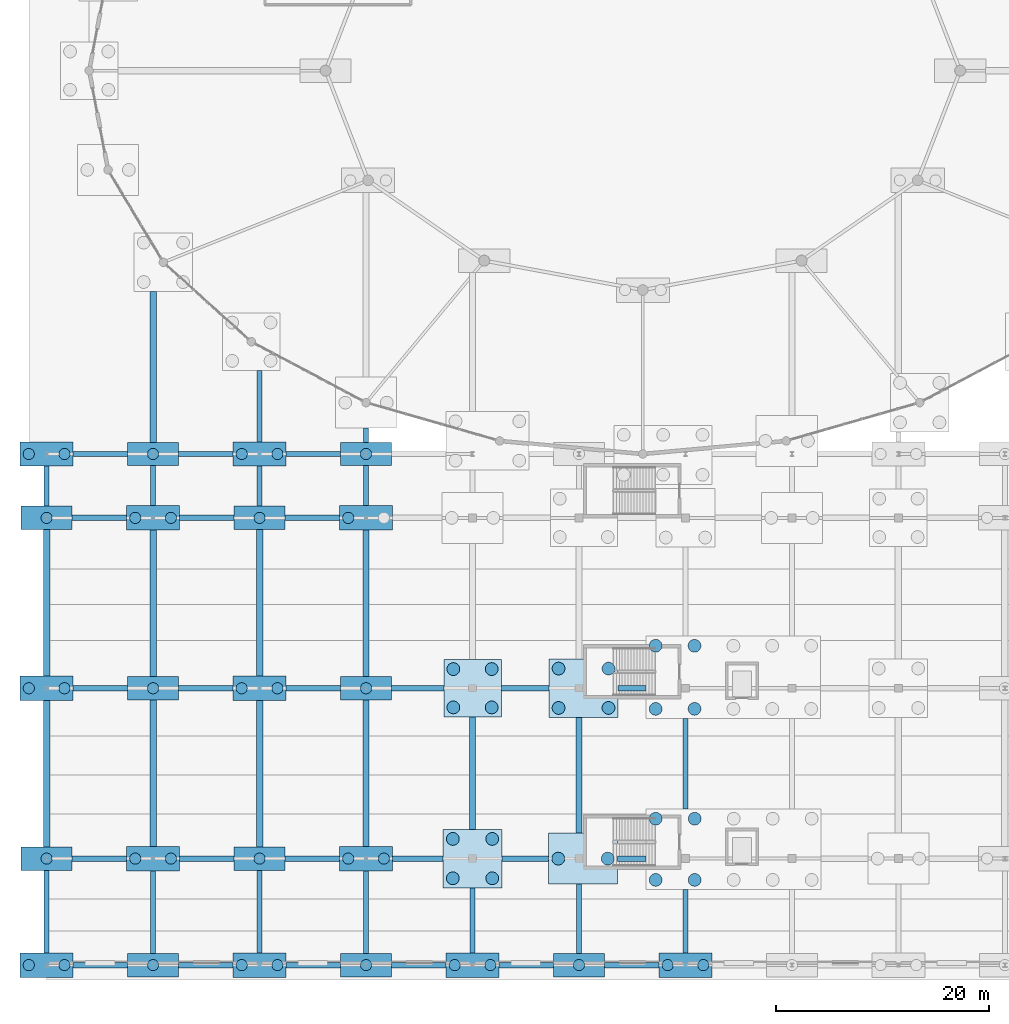
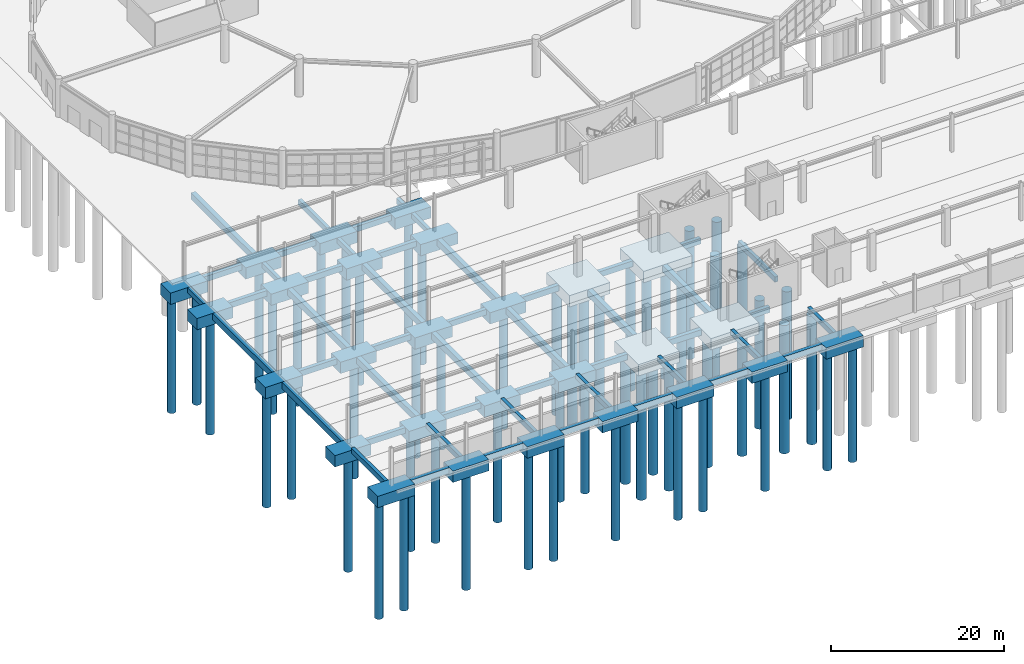
# One storey, part 1 of 99: 76 footings, 56 piles.
"""IFC4 building model written with IfcOpenShell, lengths in metres."""

from ifc_helpers import new_model, si_unit, direction, frame, origin, origin_2d, place, context, subcontext, project, spatial, rectangle, circle, extrude, material, material_profile, profile_set, type_object, element, save


model = new_model("IFC4")

# Units and contexts
model_context = context("Model", 3, precision=1e-05, world=origin(), true_north=direction((0.0, 1.0)))
body_context = subcontext(model_context, "Body", "Model", "MODEL_VIEW")
ifc_project = project(units=[si_unit("LENGTHUNIT", "METRE"), si_unit("AREAUNIT", "SQUARE_METRE"), si_unit("VOLUMEUNIT", "CUBIC_METRE"), si_unit("PLANEANGLEUNIT", "RADIAN"), si_unit("MASSUNIT", "GRAM", prefix="KILO")], contexts=[model_context])

# Site, building, storey
site_placement = place(None, origin())
site = spatial("IfcSite", under=ifc_project, at=site_placement, CompositionType="ELEMENT")
building_placement = place(site_placement, origin())
building = spatial("IfcBuilding", under=site, at=building_placement, Name="Kivolera Central Railway Station", CompositionType="ELEMENT")
storey_placement = place(building_placement, origin())
storey = spatial("IfcBuildingStorey", under=building, at=storey_placement, Name="L00", CompositionType="ELEMENT", Elevation=0.0)

# Footings
ifc_material = material(Name="Concrete C35/45", Category="concrete")
footing_type_1 = type_object("IfcFootingType", Name="FB-450x750", PredefinedType="FOOTING_BEAM", material=ifc_material)
footing_1_placement = place(storey_placement, frame((8.0, 11.02490234375, -0.75), z_axis=(0.0, 0.0, 1.0), x_axis=(1.0, 0.0, 0.0)))
element("IfcFooting", 1, at=footing_1_placement, inside=storey, type_object=footing_type_1, Name="Foundation Tie Beam FDN-FBY-145", PredefinedType="FOOTING_BEAM", context=body_context, shape_type="SweptSolid", body=[
    extrude(rectangle(XDim=0.449951171875, YDim=7.75, at=origin_2d()), origin(), (0.0, 0.0, 1.0), 0.75),
])
footing_2_placement = place(storey_placement, frame((8.0, 50.97509765625, -1.10009765625), z_axis=(0.0, 0.0, 1.0), x_axis=(1.0, 0.0, 0.0)))
element("IfcFooting", 2, at=footing_2_placement, inside=storey, type_object=footing_type_1, Name="Foundation Tie Beam FDN-FBY-148", PredefinedType="FOOTING_BEAM", context=body_context, shape_type="SweptSolid", body=[
    extrude(rectangle(XDim=0.449951171875, YDim=3.75, at=origin_2d()), origin(), (0.0, 0.0, 1.0), 0.75),
])
footing_3_placement = place(storey_placement, frame((18.0, 10.97509765625, -0.75), z_axis=(0.0, 0.0, 1.0), x_axis=(1.0, 0.0, 0.0)))
element("IfcFooting", 3, at=footing_3_placement, inside=storey, type_object=footing_type_1, Name="Foundation Tie Beam FDN-FBY-149", PredefinedType="FOOTING_BEAM", context=body_context, shape_type="SweptSolid", body=[
    extrude(rectangle(XDim=0.449951171875, YDim=7.75, at=origin_2d()), origin(), (0.0, 0.0, 1.0), 0.75),
])
footing_4_placement = place(storey_placement, frame((18.0, 51.02490234375, -1.10009765625), z_axis=(0.0, 0.0, 1.0), x_axis=(1.0, 0.0, 0.0)))
element("IfcFooting", 4, at=footing_4_placement, inside=storey, type_object=footing_type_1, Name="Foundation Tie Beam FDN-FBY-152", PredefinedType="FOOTING_BEAM", context=body_context, shape_type="SweptSolid", body=[
    extrude(rectangle(XDim=0.449951171875, YDim=3.75, at=origin_2d()), origin(), (0.0, 0.0, 1.0), 0.75),
])
footing_5_placement = place(storey_placement, frame((28.0, 11.02490234375, -0.75), z_axis=(0.0, 0.0, 1.0), x_axis=(1.0, 0.0, 0.0)))
element("IfcFooting", 5, at=footing_5_placement, inside=storey, type_object=footing_type_1, Name="Foundation Tie Beam FDN-FBY-154", PredefinedType="FOOTING_BEAM", context=body_context, shape_type="SweptSolid", body=[
    extrude(rectangle(XDim=0.449951171875, YDim=7.75, at=origin_2d()), origin(), (0.0, 0.0, 1.0), 0.75),
])
footing_6_placement = place(storey_placement, frame((28.0, 50.97509765625, -1.10009765625), z_axis=(0.0, 0.0, 1.0), x_axis=(1.0, 0.0, 0.0)))
element("IfcFooting", 6, at=footing_6_placement, inside=storey, type_object=footing_type_1, Name="Foundation Tie Beam FDN-FBY-157", PredefinedType="FOOTING_BEAM", context=body_context, shape_type="SweptSolid", body=[
    extrude(rectangle(XDim=0.449951171875, YDim=3.75, at=origin_2d()), origin(), (0.0, 0.0, 1.0), 0.75),
])
footing_7_placement = place(storey_placement, frame((28.0, 58.4970703125, -1.10009765625), z_axis=(0.0, 0.0, 1.0), x_axis=(1.0, 0.0, 0.0)))
element("IfcFooting", 7, at=footing_7_placement, inside=storey, type_object=footing_type_1, Name="Foundation Tie Beam FDN-FBY-158", PredefinedType="FOOTING_BEAM", context=body_context, shape_type="SweptSolid", body=[
    extrude(rectangle(XDim=0.449951171875, YDim=6.694091796875, at=origin_2d()), origin(), (0.0, 0.0, 1.0), 0.75),
])
footing_8_placement = place(storey_placement, frame((38.0, 10.97509765625, -0.75), z_axis=(0.0, 0.0, 1.0), x_axis=(1.0, 0.0, 0.0)))
element("IfcFooting", 8, at=footing_8_placement, inside=storey, type_object=footing_type_1, Name="Foundation Tie Beam FDN-FBY-161", PredefinedType="FOOTING_BEAM", context=body_context, shape_type="SweptSolid", body=[
    extrude(rectangle(XDim=0.449951171875, YDim=7.75, at=origin_2d()), origin(), (0.0, 0.0, 1.0), 0.75),
])
footing_9_placement = place(storey_placement, frame((38.0, 51.02490234375, -1.10009765625), z_axis=(0.0, 0.0, 1.0), x_axis=(1.0, 0.0, 0.0)))
element("IfcFooting", 9, at=footing_9_placement, inside=storey, type_object=footing_type_1, Name="Foundation Tie Beam FDN-FBY-164", PredefinedType="FOOTING_BEAM", context=body_context, shape_type="SweptSolid", body=[
    extrude(rectangle(XDim=0.449951171875, YDim=3.75, at=origin_2d()), origin(), (0.0, 0.0, 1.0), 0.75),
])
footing_10_placement = place(storey_placement, frame((38.0, 55.760986328125, -1.10009765625), z_axis=(0.0, 0.0, 1.0), x_axis=(1.0, 0.0, 0.0)))
element("IfcFooting", 10, at=footing_10_placement, inside=storey, type_object=footing_type_1, Name="Foundation Tie Beam FDN-FBY-165", PredefinedType="FOOTING_BEAM", context=body_context, shape_type="SweptSolid", body=[
    extrude(rectangle(XDim=0.449951171875, YDim=1.322998046875, at=origin_2d()), origin(), (0.0, 0.0, 1.0), 0.75),
])
footing_11_placement = place(storey_placement, frame((48.0, 10.199951171875, -0.75), z_axis=(0.0, 0.0, 1.0), x_axis=(1.0, 0.0, 0.0)))
element("IfcFooting", 11, at=footing_11_placement, inside=storey, type_object=footing_type_1, Name="Foundation Tie Beam FDN-FBY-171", PredefinedType="FOOTING_BEAM", context=body_context, shape_type="SweptSolid", body=[
    extrude(rectangle(XDim=0.449951171875, YDim=6.10009765625, at=origin_2d()), origin(), (0.0, 0.0, 1.0), 0.75),
])
footing_12_placement = place(storey_placement, frame((58.0, 10.35009765625, -0.75), z_axis=(0.0, 0.0, 1.0), x_axis=(1.0, 0.0, 0.0)))
element("IfcFooting", 12, at=footing_12_placement, inside=storey, type_object=footing_type_1, Name="Foundation Tie Beam FDN-FBY-178", PredefinedType="FOOTING_BEAM", context=body_context, shape_type="SweptSolid", body=[
    extrude(rectangle(XDim=0.449951171875, YDim=6.5, at=origin_2d()), origin(), (0.0, 0.0, 1.0), 0.75),
])
footing_13_placement = place(storey_placement, frame((68.0, 10.125, -0.75), z_axis=(0.0, 0.0, 1.0), x_axis=(1.0, 0.0, 0.0)))
element("IfcFooting", 13, at=footing_13_placement, inside=storey, type_object=footing_type_1, Name="Foundation Tie Beam FDN-FBY-183", PredefinedType="FOOTING_BEAM", context=body_context, shape_type="SweptSolid", body=[
    extrude(rectangle(XDim=0.449951171875, YDim=5.948974609375, at=origin_2d()), origin(), (0.0, 0.0, 1.0), 0.75),
])
footing_14_placement = place(storey_placement, frame((68.0, 24.906005859375, -1.110107421875), z_axis=(0.0, 0.0, 1.0), x_axis=(1.0, 0.0, 0.0)))
element("IfcFooting", 14, at=footing_14_placement, inside=storey, type_object=footing_type_1, Name="Foundation Tie Beam FDN-FBY-184", PredefinedType="FOOTING_BEAM", context=body_context, shape_type="SweptSolid", body=[
    extrude(rectangle(XDim=0.449951171875, YDim=8.510009765625, at=origin_2d()), origin(), (0.0, 0.0, 1.0), 0.75),
])
footing_type_2 = type_object("IfcFootingType", Name="FB-500x800", PredefinedType="FOOTING_BEAM", material=ifc_material)
for number, where, z_axis, x_axis, name in (
    (15, (13.050048828125, 6.0, -0.7998046875), (0.0, 0.0, 1.0), (1.0, 0.0, 0.0), "Foundation Tie Beam FDN-FBX-001"),
    (16, (22.949951171875, 6.0, -0.7998046875), (0.0, 0.0, 1.0), (1.0, 0.0, 0.0), "Foundation Tie Beam FDN-FBX-002"),
    (17, (33.050048828125, 6.0, -0.7998046875), (0.0, 0.0, 1.0), (1.0, 0.0, 0.0), "Foundation Tie Beam FDN-FBX-003"),
    (18, (42.949951171875, 6.0, -0.7998046875), (0.0, 0.0, 1.0), (1.0, 0.0, 0.0), "Foundation Tie Beam FDN-FBX-004"),
    (19, (53.050048828125, 6.0, -0.7998046875), (0.0, 0.0, 1.0), (1.0, 0.0, 0.0), "Foundation Tie Beam FDN-FBX-005"),
    (20, (62.949951171875, 6.0, -0.7998046875), (0.0, 0.0, 1.0), (1.0, 0.0, 0.0), "Foundation Tie Beam FDN-FBX-006"),
    (21, (12.949951171875, 16.0, -1.16015625), (0.0, 0.0, 1.0), (1.0, 0.0, 0.0), "Foundation Tie Beam FDN-FBX-020"),
    (22, (23.050048828125, 16.0, -1.16015625), (0.0, 0.0, 1.0), (1.0, 0.0, 0.0), "Foundation Tie Beam FDN-FBX-021"),
    (23, (32.949951171875, 16.0, -1.16015625), (0.0, 0.0, 1.0), (1.0, 0.0, 0.0), "Foundation Tie Beam FDN-FBX-022"),
):
    element("IfcFooting", number, at=place(storey_placement, frame(where, z_axis=z_axis, x_axis=x_axis)), inside=storey, type_object=footing_type_2, Name=name, PredefinedType="FOOTING_BEAM", context=body_context, shape_type="SweptSolid", body=[
        extrude(rectangle(XDim=5.10009765625, YDim=0.5, at=origin_2d()), origin(), (0.0, 0.0, 1.0), 0.800048828125),
    ])
footing_15_placement = place(storey_placement, frame((42.875, 16.0, -1.16015625), z_axis=(0.0, 0.0, 1.0), x_axis=(1.0, 0.0, 0.0)))
element("IfcFooting", 24, at=footing_15_placement, inside=storey, type_object=footing_type_2, Name="Foundation Tie Beam FDN-FBX-023", PredefinedType="FOOTING_BEAM", context=body_context, shape_type="SweptSolid", body=[
    extrude(rectangle(XDim=4.75, YDim=0.5, at=origin_2d()), origin(), (0.0, 0.0, 1.0), 0.800048828125),
])
footing_16_placement = place(storey_placement, frame((52.949951171875, 16.0, -1.16015625), z_axis=(0.0, 0.0, 1.0), x_axis=(1.0, 0.0, 0.0)))
element("IfcFooting", 25, at=footing_16_placement, inside=storey, type_object=footing_type_2, Name="Foundation Tie Beam FDN-FBX-024", PredefinedType="FOOTING_BEAM", context=body_context, shape_type="SweptSolid", body=[
    extrude(rectangle(XDim=4.39990234375, YDim=0.5, at=origin_2d()), origin(), (0.0, 0.0, 1.0), 0.800048828125),
])
footing_17_placement = place(storey_placement, frame((62.949951171875, 16.0, -1.16015625), z_axis=(0.0, 0.0, 1.0), x_axis=(1.0, 0.0, 0.0)))
element("IfcFooting", 26, at=footing_17_placement, inside=storey, type_object=footing_type_2, Name="Foundation Tie Beam FDN-FBX-025", PredefinedType="FOOTING_BEAM", context=body_context, shape_type="SweptSolid", body=[
    extrude(rectangle(XDim=2.699951171875, YDim=0.5, at=origin_2d()), origin(), (0.0, 0.0, 1.0), 0.800048828125),
])
for number, where, z_axis, x_axis, name in (
    (27, (13.050048828125, 32.0, -1.16015625), (0.0, 0.0, 1.0), (1.0, 0.0, 0.0), "Foundation Tie Beam FDN-FBX-038"),
    (28, (22.949951171875, 32.0, -1.16015625), (0.0, 0.0, 1.0), (1.0, 0.0, 0.0), "Foundation Tie Beam FDN-FBX-039"),
    (29, (33.050048828125, 32.0, -1.16015625), (0.0, 0.0, 1.0), (1.0, 0.0, 0.0), "Foundation Tie Beam FDN-FBX-040"),
):
    element("IfcFooting", number, at=place(storey_placement, frame(where, z_axis=z_axis, x_axis=x_axis)), inside=storey, type_object=footing_type_2, Name=name, PredefinedType="FOOTING_BEAM", context=body_context, shape_type="SweptSolid", body=[
        extrude(rectangle(XDim=5.10009765625, YDim=0.5, at=origin_2d()), origin(), (0.0, 0.0, 1.0), 0.800048828125),
    ])
footing_18_placement = place(storey_placement, frame((42.85009765625, 32.0, -1.16015625), z_axis=(0.0, 0.0, 1.0), x_axis=(1.0, 0.0, 0.0)))
element("IfcFooting", 30, at=footing_18_placement, inside=storey, type_object=footing_type_2, Name="Foundation Tie Beam FDN-FBX-041", PredefinedType="FOOTING_BEAM", context=body_context, shape_type="SweptSolid", body=[
    extrude(rectangle(XDim=4.89990234375, YDim=0.5, at=origin_2d()), origin(), (0.0, 0.0, 1.0), 0.800048828125),
])
footing_19_placement = place(storey_placement, frame((52.93994140625, 32.0, -1.16015625), z_axis=(0.0, 0.0, 1.0), x_axis=(1.0, 0.0, 0.0)))
element("IfcFooting", 31, at=footing_19_placement, inside=storey, type_object=footing_type_2, Name="Foundation Tie Beam FDN-FBX-042", PredefinedType="FOOTING_BEAM", context=body_context, shape_type="SweptSolid", body=[
    extrude(rectangle(XDim=4.47998046875, YDim=0.5, at=origin_2d()), origin(), (0.0, 0.0, 1.0), 0.800048828125),
])
footing_20_placement = place(storey_placement, frame((62.985107421875, 32.0, -1.16015625), z_axis=(0.0, 0.0, 1.0), x_axis=(1.0, 0.0, 0.0)))
element("IfcFooting", 32, at=footing_20_placement, inside=storey, type_object=footing_type_2, Name="Foundation Tie Beam FDN-FBX-043", PredefinedType="FOOTING_BEAM", context=body_context, shape_type="SweptSolid", body=[
    extrude(rectangle(XDim=2.6298828125, YDim=0.5, at=origin_2d()), origin(), (0.0, 0.0, 1.0), 0.800048828125),
])
for number, where, z_axis, x_axis, name in (
    (33, (12.949951171875, 48.0, -1.16015625), (0.0, 0.0, 1.0), (1.0, 0.0, 0.0), "Foundation Tie Beam FDN-FBX-056"),
    (34, (23.050048828125, 48.0, -1.16015625), (0.0, 0.0, 1.0), (1.0, 0.0, 0.0), "Foundation Tie Beam FDN-FBX-057"),
    (35, (32.949951171875, 48.0, -1.16015625), (0.0, 0.0, 1.0), (1.0, 0.0, 0.0), "Foundation Tie Beam FDN-FBX-058"),
    (36, (13.050048828125, 54.0, -1.14990234375), (0.0, 0.0, 1.0), (1.0, 0.0, 0.0), "Foundation Tie Beam FDN-FBX-075"),
    (37, (22.949951171875, 54.0, -1.14990234375), (0.0, 0.0, 1.0), (1.0, 0.0, 0.0), "Foundation Tie Beam FDN-FBX-076"),
    (38, (33.050048828125, 54.0, -1.14990234375), (0.0, 0.0, 1.0), (1.0, 0.0, 0.0), "Foundation Tie Beam FDN-FBX-077"),
):
    element("IfcFooting", number, at=place(storey_placement, frame(where, z_axis=z_axis, x_axis=x_axis)), inside=storey, type_object=footing_type_2, Name=name, PredefinedType="FOOTING_BEAM", context=body_context, shape_type="SweptSolid", body=[
        extrude(rectangle(XDim=5.10009765625, YDim=0.5, at=origin_2d()), origin(), (0.0, 0.0, 1.0), 0.800048828125),
    ])
footing_type_3 = type_object("IfcFootingType", Name="FB-600x900", PredefinedType="FOOTING_BEAM", material=ifc_material)
for number, where, z_axis, x_axis, name in (
    (39, (8.0, 23.97509765625, -1.260009765625), (0.0, 0.0, 1.0), (1.0, 0.0, 0.0), "Foundation Tie Beam FDN-FBY-146"),
    (40, (8.0, 40.02490234375, -1.260009765625), (0.0, 0.0, 1.0), (1.0, 0.0, 0.0), "Foundation Tie Beam FDN-FBY-147"),
    (41, (18.0, 24.02490234375, -1.260009765625), (0.0, 0.0, 1.0), (1.0, 0.0, 0.0), "Foundation Tie Beam FDN-FBY-150"),
    (42, (18.0, 39.97509765625, -1.260009765625), (0.0, 0.0, 1.0), (1.0, 0.0, 0.0), "Foundation Tie Beam FDN-FBY-151"),
):
    element("IfcFooting", number, at=place(storey_placement, frame(where, z_axis=z_axis, x_axis=x_axis)), inside=storey, type_object=footing_type_3, Name=name, PredefinedType="FOOTING_BEAM", context=body_context, shape_type="SweptSolid", body=[
        extrude(rectangle(XDim=0.60009765625, YDim=13.75, at=origin_2d()), origin(), (0.0, 0.0, 1.0), 0.89990234375),
    ])
footing_21_placement = place(storey_placement, frame((18.0, 62.175048828125, -1.25), z_axis=(0.0, 0.0, 1.0), x_axis=(1.0, 0.0, 0.0)))
element("IfcFooting", 43, at=footing_21_placement, inside=storey, type_object=footing_type_3, Name="Foundation Tie Beam FDN-FBY-153", PredefinedType="FOOTING_BEAM", context=body_context, shape_type="SweptSolid", body=[
    extrude(rectangle(XDim=0.60009765625, YDim=14.14990234375, at=origin_2d()), origin(), (0.0, 0.0, 1.0), 0.89990234375),
])
for number, where, z_axis, x_axis, name in (
    (44, (28.0, 23.97509765625, -1.260009765625), (0.0, 0.0, 1.0), (1.0, 0.0, 0.0), "Foundation Tie Beam FDN-FBY-155"),
    (45, (28.0, 40.02490234375, -1.260009765625), (0.0, 0.0, 1.0), (1.0, 0.0, 0.0), "Foundation Tie Beam FDN-FBY-156"),
    (46, (38.0, 24.02490234375, -1.260009765625), (0.0, 0.0, 1.0), (1.0, 0.0, 0.0), "Foundation Tie Beam FDN-FBY-162"),
    (47, (38.0, 39.97509765625, -1.260009765625), (0.0, 0.0, 1.0), (1.0, 0.0, 0.0), "Foundation Tie Beam FDN-FBY-163"),
):
    element("IfcFooting", number, at=place(storey_placement, frame(where, z_axis=z_axis, x_axis=x_axis)), inside=storey, type_object=footing_type_3, Name=name, PredefinedType="FOOTING_BEAM", context=body_context, shape_type="SweptSolid", body=[
        extrude(rectangle(XDim=0.60009765625, YDim=13.75, at=origin_2d()), origin(), (0.0, 0.0, 1.0), 0.89990234375),
    ])
footing_22_placement = place(storey_placement, frame((48.0, 24.02490234375, -1.260009765625), z_axis=(0.0, 0.0, 1.0), x_axis=(1.0, 0.0, 0.0)))
element("IfcFooting", 48, at=footing_22_placement, inside=storey, type_object=footing_type_3, Name="Foundation Tie Beam FDN-FBY-172", PredefinedType="FOOTING_BEAM", context=body_context, shape_type="SweptSolid", body=[
    extrude(rectangle(XDim=0.60009765625, YDim=10.550048828125, at=origin_2d()), origin(), (0.0, 0.0, 1.0), 0.89990234375),
])
footing_23_placement = place(storey_placement, frame((58.0, 23.824951171875, -1.260009765625), z_axis=(0.0, 0.0, 1.0), x_axis=(1.0, 0.0, 0.0)))
element("IfcFooting", 49, at=footing_23_placement, inside=storey, type_object=footing_type_3, Name="Foundation Tie Beam FDN-FBY-179", PredefinedType="FOOTING_BEAM", context=body_context, shape_type="SweptSolid", body=[
    extrude(rectangle(XDim=0.60009765625, YDim=10.85009765625, at=origin_2d()), origin(), (0.0, 0.0, 1.0), 0.89990234375),
])
footing_type_4 = type_object("IfcFootingType", Name="PC-4800x2200", PredefinedType="PILE_CAP", material=ifc_material)
for number, where, z_axis, x_axis, name in (
    (50, (8.0, 16.0, -1.9599609375), (0.0, 0.0, 1.0), (1.0, 0.0, 0.0), "Pile Cap FDN-PC-083"),
    (51, (8.0, 48.0, -1.9599609375), (0.0, 0.0, 1.0), (1.0, 0.0, 0.0), "Pile Cap FDN-PC-085"),
    (52, (18.0, 6.0, -1.60009765625), (0.0, 0.0, 1.0), (1.0, 0.0, 0.0), "Pile Cap FDN-PC-087"),
    (53, (18.0, 32.0, -1.9599609375), (0.0, 0.0, 1.0), (1.0, 0.0, 0.0), "Pile Cap FDN-PC-089"),
    (54, (18.0, 54.0, -1.949951171875), (0.0, 0.0, 1.0), (1.0, 0.0, 0.0), "Pile Cap FDN-PC-091"),
    (55, (28.0, 16.0, -1.9599609375), (0.0, 0.0, 1.0), (1.0, 0.0, 0.0), "Pile Cap FDN-PC-093"),
    (56, (28.0, 48.0, -1.9599609375), (0.0, 0.0, 1.0), (1.0, 0.0, 0.0), "Pile Cap FDN-PC-095"),
    (57, (38.0, 6.0, -1.60009765625), (0.0, 0.0, 1.0), (1.0, 0.0, 0.0), "Pile Cap FDN-PC-097"),
    (58, (38.0, 32.0, -1.9599609375), (0.0, 0.0, 1.0), (1.0, 0.0, 0.0), "Pile Cap FDN-PC-099"),
    (59, (38.0, 54.0, -1.949951171875), (0.0, 0.0, 1.0), (1.0, 0.0, 0.0), "Pile Cap FDN-PC-101"),
    (60, (58.0, 6.0, -1.60009765625), (0.0, 0.0, 1.0), (1.0, 0.0, 0.0), "Pile Cap FDN-PC-107"),
):
    element("IfcFooting", number, at=place(storey_placement, frame(where, z_axis=z_axis, x_axis=x_axis)), inside=storey, type_object=footing_type_4, Name=name, PredefinedType="PILE_CAP", context=body_context, shape_type="SweptSolid", body=[
        extrude(rectangle(XDim=4.800048828125, YDim=2.199951171875, at=origin_2d()), origin(), (0.0, 0.0, 1.0), 1.60009765625),
    ])
footing_type_5 = type_object("IfcFootingType", Name="PC-5000x2300", PredefinedType="PILE_CAP", material=ifc_material)
for number, where, z_axis, x_axis, name in (
    (61, (8.0, 6.0, -1.60009765625), (0.0, 0.0, 1.0), (1.0, 0.0, 0.0), "Pile Cap FDN-PC-082"),
    (62, (8.0, 32.0, -1.9599609375), (0.0, 0.0, 1.0), (1.0, 0.0, 0.0), "Pile Cap FDN-PC-084"),
    (63, (8.0, 54.0, -1.949951171875), (0.0, 0.0, 1.0), (1.0, 0.0, 0.0), "Pile Cap FDN-PC-086"),
    (64, (18.0, 16.0, -1.9599609375), (0.0, 0.0, 1.0), (1.0, 0.0, 0.0), "Pile Cap FDN-PC-088"),
    (65, (18.0, 48.0, -1.9599609375), (0.0, 0.0, 1.0), (1.0, 0.0, 0.0), "Pile Cap FDN-PC-090"),
    (66, (28.0, 6.0, -1.60009765625), (0.0, 0.0, 1.0), (1.0, 0.0, 0.0), "Pile Cap FDN-PC-092"),
    (67, (28.0, 32.0, -1.9599609375), (0.0, 0.0, 1.0), (1.0, 0.0, 0.0), "Pile Cap FDN-PC-094"),
    (68, (28.0, 54.0, -1.949951171875), (0.0, 0.0, 1.0), (1.0, 0.0, 0.0), "Pile Cap FDN-PC-096"),
    (69, (38.0, 16.0, -1.9599609375), (0.0, 0.0, 1.0), (1.0, 0.0, 0.0), "Pile Cap FDN-PC-098"),
    (70, (38.0, 48.0, -1.9599609375), (0.0, 0.0, 1.0), (1.0, 0.0, 0.0), "Pile Cap FDN-PC-100"),
    (71, (48.0, 6.0, -1.60009765625), (0.0, 0.0, 1.0), (1.0, 0.0, 0.0), "Pile Cap FDN-PC-102"),
    (72, (68.0, 6.0, -1.60009765625), (0.0, 0.0, 1.0), (1.0, 0.0, 0.0), "Pile Cap FDN-PC-109"),
):
    element("IfcFooting", number, at=place(storey_placement, frame(where, z_axis=z_axis, x_axis=x_axis)), inside=storey, type_object=footing_type_5, Name=name, PredefinedType="PILE_CAP", context=body_context, shape_type="SweptSolid", body=[
        extrude(rectangle(XDim=5.0, YDim=2.300048828125, at=origin_2d()), origin(), (0.0, 0.0, 1.0), 1.60009765625),
    ])
footing_type_6 = type_object("IfcFootingType", Name="PC-5400x5400", PredefinedType="PILE_CAP", material=ifc_material)
footing_24_placement = place(storey_placement, frame((48.0, 32.0, -1.9599609375), z_axis=(0.0, 0.0, 1.0), x_axis=(1.0, 0.0, 0.0)))
element("IfcFooting", 73, at=footing_24_placement, inside=storey, type_object=footing_type_6, Name="Pile Cap FDN-PC-104", PredefinedType="PILE_CAP", context=body_context, shape_type="SweptSolid", body=[
    extrude(rectangle(XDim=5.39990234375, YDim=5.39990234375, at=origin_2d()), origin(), (0.0, 0.0, 1.0), 1.60009765625),
])
footing_type_7 = type_object("IfcFootingType", Name="PC-5500x5500", PredefinedType="PILE_CAP", material=ifc_material)
footing_25_placement = place(storey_placement, frame((48.0, 16.0, -1.9599609375), z_axis=(0.0, 0.0, 1.0), x_axis=(1.0, 0.0, 0.0)))
element("IfcFooting", 74, at=footing_25_placement, inside=storey, type_object=footing_type_7, Name="Pile Cap FDN-PC-103", PredefinedType="PILE_CAP", context=body_context, shape_type="SweptSolid", body=[
    extrude(rectangle(XDim=5.5, YDim=5.5, at=origin_2d()), origin(), (0.0, 0.0, 1.0), 1.60009765625),
])
footing_type_8 = type_object("IfcFootingType", Name="PC-6450x4800", PredefinedType="PILE_CAP", material=ifc_material)
footing_26_placement = place(storey_placement, frame((58.375, 16.0, -1.9599609375), z_axis=(0.0, 0.0, 1.0), x_axis=(1.0, 0.0, 0.0)))
element("IfcFooting", 75, at=footing_26_placement, inside=storey, type_object=footing_type_8, Name="Pile Cap FDN-PC-080", PredefinedType="PILE_CAP", context=body_context, shape_type="SweptSolid", body=[
    extrude(rectangle(XDim=6.449951171875, YDim=4.800048828125, at=origin_2d()), origin(), (0.0, 0.0, 1.0), 1.60009765625),
])
footing_type_9 = type_object("IfcFootingType", Name="PC-6490x5500", PredefinedType="PILE_CAP", material=ifc_material)
footing_27_placement = place(storey_placement, frame((58.425048828125, 32.0, -1.9599609375), z_axis=(0.0, 0.0, 1.0), x_axis=(1.0, 0.0, 0.0)))
element("IfcFooting", 76, at=footing_27_placement, inside=storey, type_object=footing_type_9, Name="Pile Cap FDN-PC-078", PredefinedType="PILE_CAP", context=body_context, shape_type="SweptSolid", body=[
    extrude(rectangle(XDim=6.489990234375, YDim=5.5, at=origin_2d()), origin(), (0.0, 0.0, 1.0), 1.60009765625),
])

# Piles
ifc_material_profile_1 = material_profile(ifc_material, circle(Radius=0.52490234375, at=origin_2d()), Name="PILE D1050")
ifc_profile_set_1 = profile_set([ifc_material_profile_1], Name="Concrete C35/45")
pile_type_1 = type_object("IfcPileType", Name="PILE-1050", PredefinedType="BORED", material=ifc_profile_set_1)
for number, where, z_axis, x_axis, name in (
    (77, (6.324951171875, 6.0, -1.5), (0.0, 0.0, -1.0), (1.0, 0.0, 0.0), "Bored Pile FDN-PC-082-P01"),
    (78, (9.675048828125, 6.0, -1.5), (0.0, 0.0, -1.0), (1.0, 0.0, 0.0), "Bored Pile FDN-PC-082-P02"),
):
    element("IfcPile", number, at=place(storey_placement, frame(where, z_axis=z_axis, x_axis=x_axis)), inside=storey, type_object=pile_type_1, Name=name, PredefinedType="BORED", context=body_context, shape_type="SweptSolid", body=[
        extrude(circle(Radius=0.52490234375, at=origin_2d()), origin(), (0.0, 0.0, 1.0), 16.5),
    ])
for number, where, z_axis, x_axis, name in (
    (79, (8.0, 16.0, -1.860107421875), (0.0, 0.0, -1.0), (1.0, 0.0, 0.0), "Bored Pile FDN-PC-083-P01"),
    (80, (6.324951171875, 32.0, -1.860107421875), (0.0, 0.0, -1.0), (1.0, 0.0, 0.0), "Bored Pile FDN-PC-084-P01"),
    (81, (9.675048828125, 32.0, -1.860107421875), (0.0, 0.0, -1.0), (1.0, 0.0, 0.0), "Bored Pile FDN-PC-084-P02"),
    (82, (8.0, 48.0, -1.860107421875), (0.0, 0.0, -1.0), (1.0, 0.0, 0.0), "Bored Pile FDN-PC-085-P01"),
):
    element("IfcPile", number, at=place(storey_placement, frame(where, z_axis=z_axis, x_axis=x_axis)), inside=storey, type_object=pile_type_1, Name=name, PredefinedType="BORED", context=body_context, shape_type="SweptSolid", body=[
        extrude(circle(Radius=0.52490234375, at=origin_2d()), origin(), (0.0, 0.0, 1.0), 16.139892578125),
    ])
for number, where, z_axis, x_axis, name in (
    (83, (6.324951171875, 54.0, -1.85009765625), (0.0, 0.0, -1.0), (1.0, 0.0, 0.0), "Bored Pile FDN-PC-086-P01"),
    (84, (9.675048828125, 54.0, -1.85009765625), (0.0, 0.0, -1.0), (1.0, 0.0, 0.0), "Bored Pile FDN-PC-086-P02"),
):
    element("IfcPile", number, at=place(storey_placement, frame(where, z_axis=z_axis, x_axis=x_axis)), inside=storey, type_object=pile_type_1, Name=name, PredefinedType="BORED", context=body_context, shape_type="SweptSolid", body=[
        extrude(circle(Radius=0.52490234375, at=origin_2d()), origin(), (0.0, 0.0, 1.0), 16.14990234375),
    ])
pile_1_placement = place(storey_placement, frame((18.0, 6.0, -1.5), z_axis=(0.0, 0.0, -1.0), x_axis=(1.0, 0.0, 0.0)))
element("IfcPile", 85, at=pile_1_placement, inside=storey, type_object=pile_type_1, Name="Bored Pile FDN-PC-087-P01", PredefinedType="BORED", context=body_context, shape_type="SweptSolid", body=[
    extrude(circle(Radius=0.52490234375, at=origin_2d()), origin(), (0.0, 0.0, 1.0), 16.5),
])
for number, where, z_axis, x_axis, name in (
    (86, (16.324951171875, 16.0, -1.860107421875), (0.0, 0.0, -1.0), (1.0, 0.0, 0.0), "Bored Pile FDN-PC-088-P01"),
    (87, (19.675048828125, 16.0, -1.860107421875), (0.0, 0.0, -1.0), (1.0, 0.0, 0.0), "Bored Pile FDN-PC-088-P02"),
    (88, (18.0, 32.0, -1.860107421875), (0.0, 0.0, -1.0), (1.0, 0.0, 0.0), "Bored Pile FDN-PC-089-P01"),
    (89, (16.324951171875, 48.0, -1.860107421875), (0.0, 0.0, -1.0), (1.0, 0.0, 0.0), "Bored Pile FDN-PC-090-P01"),
    (90, (19.675048828125, 48.0, -1.860107421875), (0.0, 0.0, -1.0), (1.0, 0.0, 0.0), "Bored Pile FDN-PC-090-P02"),
):
    element("IfcPile", number, at=place(storey_placement, frame(where, z_axis=z_axis, x_axis=x_axis)), inside=storey, type_object=pile_type_1, Name=name, PredefinedType="BORED", context=body_context, shape_type="SweptSolid", body=[
        extrude(circle(Radius=0.52490234375, at=origin_2d()), origin(), (0.0, 0.0, 1.0), 16.139892578125),
    ])
pile_2_placement = place(storey_placement, frame((18.0, 54.0, -1.85009765625), z_axis=(0.0, 0.0, -1.0), x_axis=(1.0, 0.0, 0.0)))
element("IfcPile", 91, at=pile_2_placement, inside=storey, type_object=pile_type_1, Name="Bored Pile FDN-PC-091-P01", PredefinedType="BORED", context=body_context, shape_type="SweptSolid", body=[
    extrude(circle(Radius=0.52490234375, at=origin_2d()), origin(), (0.0, 0.0, 1.0), 16.14990234375),
])
for number, where, z_axis, x_axis, name in (
    (92, (26.324951171875, 6.0, -1.5), (0.0, 0.0, -1.0), (1.0, 0.0, 0.0), "Bored Pile FDN-PC-092-P01"),
    (93, (29.675048828125, 6.0, -1.5), (0.0, 0.0, -1.0), (1.0, 0.0, 0.0), "Bored Pile FDN-PC-092-P02"),
):
    element("IfcPile", number, at=place(storey_placement, frame(where, z_axis=z_axis, x_axis=x_axis)), inside=storey, type_object=pile_type_1, Name=name, PredefinedType="BORED", context=body_context, shape_type="SweptSolid", body=[
        extrude(circle(Radius=0.52490234375, at=origin_2d()), origin(), (0.0, 0.0, 1.0), 16.5),
    ])
for number, where, z_axis, x_axis, name in (
    (94, (28.0, 16.0, -1.860107421875), (0.0, 0.0, -1.0), (1.0, 0.0, 0.0), "Bored Pile FDN-PC-093-P01"),
    (95, (26.324951171875, 32.0, -1.860107421875), (0.0, 0.0, -1.0), (1.0, 0.0, 0.0), "Bored Pile FDN-PC-094-P01"),
    (96, (29.675048828125, 32.0, -1.860107421875), (0.0, 0.0, -1.0), (1.0, 0.0, 0.0), "Bored Pile FDN-PC-094-P02"),
    (97, (28.0, 48.0, -1.860107421875), (0.0, 0.0, -1.0), (1.0, 0.0, 0.0), "Bored Pile FDN-PC-095-P01"),
):
    element("IfcPile", number, at=place(storey_placement, frame(where, z_axis=z_axis, x_axis=x_axis)), inside=storey, type_object=pile_type_1, Name=name, PredefinedType="BORED", context=body_context, shape_type="SweptSolid", body=[
        extrude(circle(Radius=0.52490234375, at=origin_2d()), origin(), (0.0, 0.0, 1.0), 16.139892578125),
    ])
for number, where, z_axis, x_axis, name in (
    (98, (26.324951171875, 54.0, -1.85009765625), (0.0, 0.0, -1.0), (1.0, 0.0, 0.0), "Bored Pile FDN-PC-096-P01"),
    (99, (29.675048828125, 54.0, -1.85009765625), (0.0, 0.0, -1.0), (1.0, 0.0, 0.0), "Bored Pile FDN-PC-096-P02"),
):
    element("IfcPile", number, at=place(storey_placement, frame(where, z_axis=z_axis, x_axis=x_axis)), inside=storey, type_object=pile_type_1, Name=name, PredefinedType="BORED", context=body_context, shape_type="SweptSolid", body=[
        extrude(circle(Radius=0.52490234375, at=origin_2d()), origin(), (0.0, 0.0, 1.0), 16.14990234375),
    ])
pile_3_placement = place(storey_placement, frame((38.0, 6.0, -1.5), z_axis=(0.0, 0.0, -1.0), x_axis=(1.0, 0.0, 0.0)))
element("IfcPile", 100, at=pile_3_placement, inside=storey, type_object=pile_type_1, Name="Bored Pile FDN-PC-097-P01", PredefinedType="BORED", context=body_context, shape_type="SweptSolid", body=[
    extrude(circle(Radius=0.52490234375, at=origin_2d()), origin(), (0.0, 0.0, 1.0), 16.5),
])
for number, where, z_axis, x_axis, name in (
    (101, (36.324951171875, 16.0, -1.860107421875), (0.0, 0.0, -1.0), (1.0, 0.0, 0.0), "Bored Pile FDN-PC-098-P01"),
    (102, (39.675048828125, 16.0, -1.860107421875), (0.0, 0.0, -1.0), (1.0, 0.0, 0.0), "Bored Pile FDN-PC-098-P02"),
    (103, (38.0, 32.0, -1.860107421875), (0.0, 0.0, -1.0), (1.0, 0.0, 0.0), "Bored Pile FDN-PC-099-P01"),
    (104, (36.324951171875, 48.0, -1.860107421875), (0.0, 0.0, -1.0), (1.0, 0.0, 0.0), "Bored Pile FDN-PC-100-P01"),
):
    element("IfcPile", number, at=place(storey_placement, frame(where, z_axis=z_axis, x_axis=x_axis)), inside=storey, type_object=pile_type_1, Name=name, PredefinedType="BORED", context=body_context, shape_type="SweptSolid", body=[
        extrude(circle(Radius=0.52490234375, at=origin_2d()), origin(), (0.0, 0.0, 1.0), 16.139892578125),
    ])
pile_4_placement = place(storey_placement, frame((38.0, 54.0, -1.85009765625), z_axis=(0.0, 0.0, -1.0), x_axis=(1.0, 0.0, 0.0)))
element("IfcPile", 105, at=pile_4_placement, inside=storey, type_object=pile_type_1, Name="Bored Pile FDN-PC-101-P01", PredefinedType="BORED", context=body_context, shape_type="SweptSolid", body=[
    extrude(circle(Radius=0.52490234375, at=origin_2d()), origin(), (0.0, 0.0, 1.0), 16.14990234375),
])
for number, where, z_axis, x_axis, name in (
    (106, (46.324951171875, 6.0, -1.5), (0.0, 0.0, -1.0), (1.0, 0.0, 0.0), "Bored Pile FDN-PC-102-P01"),
    (107, (49.675048828125, 6.0, -1.5), (0.0, 0.0, -1.0), (1.0, 0.0, 0.0), "Bored Pile FDN-PC-102-P02"),
    (108, (58.0, 6.0, -1.5), (0.0, 0.0, -1.0), (1.0, 0.0, 0.0), "Bored Pile FDN-PC-107-P01"),
    (109, (66.324951171875, 6.0, -1.5), (0.0, 0.0, -1.0), (1.0, 0.0, 0.0), "Bored Pile FDN-PC-109-P01"),
    (110, (69.675048828125, 6.0, -1.5), (0.0, 0.0, -1.0), (1.0, 0.0, 0.0), "Bored Pile FDN-PC-109-P02"),
):
    element("IfcPile", number, at=place(storey_placement, frame(where, z_axis=z_axis, x_axis=x_axis)), inside=storey, type_object=pile_type_1, Name=name, PredefinedType="BORED", context=body_context, shape_type="SweptSolid", body=[
        extrude(circle(Radius=0.52490234375, at=origin_2d()), origin(), (0.0, 0.0, 1.0), 16.5),
    ])
ifc_material_profile_2 = material_profile(ifc_material, circle(Radius=0.60009765625, at=origin_2d()), Name="PILE D1200")
ifc_profile_set_2 = profile_set([ifc_material_profile_2], Name="Concrete C35/45")
pile_type_2 = type_object("IfcPileType", Name="PILE-1200", PredefinedType="BORED", material=ifc_profile_set_2)
for number, where, z_axis, x_axis, name in (
    (111, (65.199951171875, 30.06103515625, -1.860107421875), (0.0, 0.0, -1.0), (1.0, 0.0, 0.0), "Bored Pile FDN-PC-077-P01"),
    (112, (65.199951171875, 35.989013671875, -1.860107421875), (0.0, 0.0, -1.0), (1.0, 0.0, 0.0), "Bored Pile FDN-PC-077-P02"),
    (113, (68.85009765625, 30.06103515625, -1.860107421875), (0.0, 0.0, -1.0), (1.0, 0.0, 0.0), "Bored Pile FDN-PC-077-P03"),
    (114, (68.85009765625, 35.989013671875, -1.860107421875), (0.0, 0.0, -1.0), (1.0, 0.0, 0.0), "Bored Pile FDN-PC-077-P04"),
    (115, (56.080078125, 30.14990234375, -1.860107421875), (0.0, 0.0, -1.0), (1.0, 0.0, 0.0), "Bored Pile FDN-PC-078-P01"),
    (116, (56.080078125, 33.85009765625, -1.860107421875), (0.0, 0.0, -1.0), (1.0, 0.0, 0.0), "Bored Pile FDN-PC-078-P02"),
    (117, (60.77001953125, 30.14990234375, -1.860107421875), (0.0, 0.0, -1.0), (1.0, 0.0, 0.0), "Bored Pile FDN-PC-078-P03"),
    (118, (60.77001953125, 33.85009765625, -1.860107421875), (0.0, 0.0, -1.0), (1.0, 0.0, 0.0), "Bored Pile FDN-PC-078-P04"),
    (119, (65.199951171875, 13.9990234375, -1.860107421875), (0.0, 0.0, -1.0), (1.0, 0.0, 0.0), "Bored Pile FDN-PC-079-P01"),
    (120, (65.199951171875, 19.7509765625, -1.860107421875), (0.0, 0.0, -1.0), (1.0, 0.0, 0.0), "Bored Pile FDN-PC-079-P02"),
    (121, (68.862060546875, 13.9990234375, -1.860107421875), (0.0, 0.0, -1.0), (1.0, 0.0, 0.0), "Bored Pile FDN-PC-079-P03"),
    (122, (68.862060546875, 19.7509765625, -1.860107421875), (0.0, 0.0, -1.0), (1.0, 0.0, 0.0), "Bored Pile FDN-PC-079-P04"),
    (123, (56.050048828125, 16.0, -1.860107421875), (0.0, 0.0, -1.0), (1.0, 0.0, 0.0), "Bored Pile FDN-PC-080-P01"),
    (124, (60.699951171875, 16.0, -1.860107421875), (0.0, 0.0, -1.0), (1.0, 0.0, 0.0), "Bored Pile FDN-PC-080-P02"),
    (125, (46.14990234375, 14.14990234375, -1.860107421875), (0.0, 0.0, -1.0), (1.0, 0.0, 0.0), "Bored Pile FDN-PC-103-P01"),
    (126, (46.14990234375, 17.85009765625, -1.860107421875), (0.0, 0.0, -1.0), (1.0, 0.0, 0.0), "Bored Pile FDN-PC-103-P02"),
    (127, (49.85009765625, 14.14990234375, -1.860107421875), (0.0, 0.0, -1.0), (1.0, 0.0, 0.0), "Bored Pile FDN-PC-103-P03"),
    (128, (49.85009765625, 17.85009765625, -1.860107421875), (0.0, 0.0, -1.0), (1.0, 0.0, 0.0), "Bored Pile FDN-PC-103-P04"),
    (129, (46.199951171875, 30.199951171875, -1.860107421875), (0.0, 0.0, -1.0), (1.0, 0.0, 0.0), "Bored Pile FDN-PC-104-P01"),
    (130, (46.199951171875, 33.800048828125, -1.860107421875), (0.0, 0.0, -1.0), (1.0, 0.0, 0.0), "Bored Pile FDN-PC-104-P02"),
    (131, (49.800048828125, 30.199951171875, -1.860107421875), (0.0, 0.0, -1.0), (1.0, 0.0, 0.0), "Bored Pile FDN-PC-104-P03"),
    (132, (49.800048828125, 33.800048828125, -1.860107421875), (0.0, 0.0, -1.0), (1.0, 0.0, 0.0), "Bored Pile FDN-PC-104-P04"),
):
    element("IfcPile", number, at=place(storey_placement, frame(where, z_axis=z_axis, x_axis=x_axis)), inside=storey, type_object=pile_type_2, Name=name, PredefinedType="BORED", context=body_context, shape_type="SweptSolid", body=[
        extrude(circle(Radius=0.60009765625, at=origin_2d()), origin(), (0.0, 0.0, 1.0), 18.139892578125),
    ])

save(model, "model.ifc")
